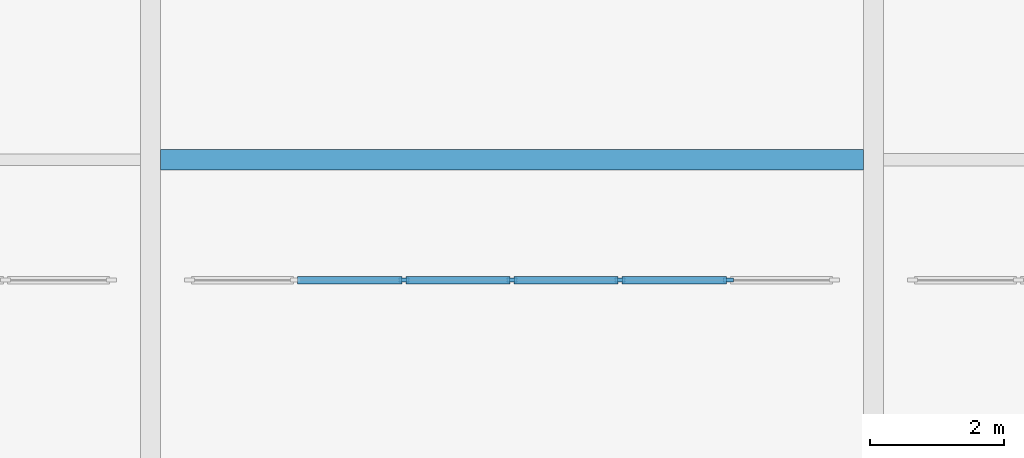
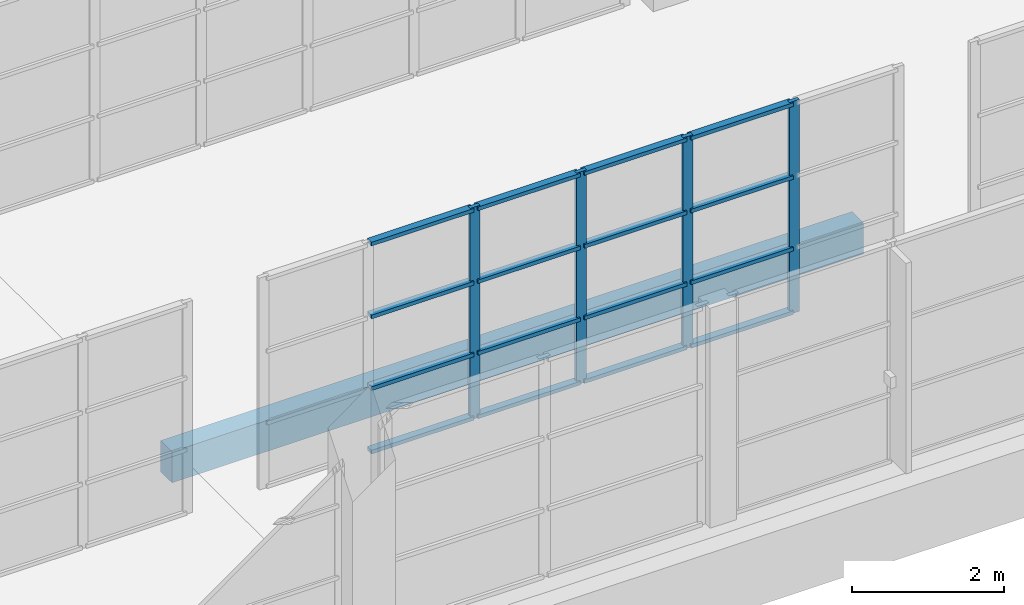
# One storey, part 45 of 142: 20 members, 1 beam, 1 element without a shape of its own.
"""IFC4 building model written with IfcOpenShell, lengths in metres."""

from ifc_helpers import new_model, si_unit, direction, frame, origin, origin_2d, place, context, subcontext, project, spatial, rectangle, extrude, material, material_profile, profile_set, type_object, element, aggregate, save


model = new_model("IFC4")

# Units and contexts
model_context = context("Model", 3, precision=1e-05, world=origin(), true_north=direction((0.0, 1.0)))
body_context = subcontext(model_context, "Body", "Model", "MODEL_VIEW")
ifc_project = project(units=[si_unit("LENGTHUNIT", "METRE"), si_unit("AREAUNIT", "SQUARE_METRE"), si_unit("VOLUMEUNIT", "CUBIC_METRE"), si_unit("PLANEANGLEUNIT", "RADIAN"), si_unit("MASSUNIT", "GRAM", prefix="KILO")], contexts=[model_context])

# Site, building, storey
site_placement = place(None, origin())
site = spatial("IfcSite", under=ifc_project, at=site_placement, CompositionType="ELEMENT")
building_placement = place(site_placement, origin())
building = spatial("IfcBuilding", under=site, at=building_placement, Name="Zwinboog Wholesale Market", CompositionType="ELEMENT")
storey_placement = place(building_placement, frame((0.0, 0.0, 5.39990234375)))
storey = spatial("IfcBuildingStorey", under=building, at=storey_placement, Name="L01", CompositionType="ELEMENT", Elevation=5.39990234375)

# Beam
ifc_material_1 = material(Name="Precast concrete C45/55", Category="concrete")
ifc_material_profile_1 = material_profile(ifc_material_1, rectangle(XDim=0.300048828125, YDim=0.5, at=origin_2d()), Name="PC 300x500")
ifc_profile_set_1 = profile_set([ifc_material_profile_1], Name="Precast concrete C45/55")
beam_type = type_object("IfcBeamType", Name="BT-10", PredefinedType="JOIST", material=ifc_profile_set_1)
beam_placement = place(storey_placement, frame((118.949951171875, 91.800048828125, -0.52978515625), z_axis=(1.0, 0.0, 0.0), x_axis=(0.0, 1.0, 0.0)))
element("IfcBeam", 1, at=beam_placement, inside=storey, type_object=beam_type, Name="BJ-01 (BMG-L01-1190-0918-0840)", PredefinedType="JOIST", context=body_context, shape_type="SweptSolid", body=[
    extrude(rectangle(XDim=0.300048828125, YDim=0.5, at=origin_2d()), origin(), (0.0, 0.0, 1.0), 10.5),
])

# Curtain wall, members
ifc_material_2 = material(Name="Aluminium thermally broken curtain wall", Category="aluminium")
curtain_wall_type = type_object("IfcCurtainWallType", Name="CWT-INT-STALL", PredefinedType="USERDEFINED", material=ifc_material_2)
curtain_wall_placement = place(storey_placement, origin())
curtain_wall = element("IfcCurtainWall", 2, at=curtain_wall_placement, inside=storey, type_object=curtain_wall_type, Name="CW-07 (CW-STL-240)", ObjectType="STOREFRONT_GLAZING", PredefinedType="USERDEFINED")
ifc_material_3 = material(Name="Aluminium EN AW-6060", Category="aluminium")
ifc_material_profile_2 = material_profile(ifc_material_3, rectangle(XDim=0.06005859375, YDim=0.14990234375, at=origin_2d()), Name="AL 60x150")
ifc_profile_set_2 = profile_set([ifc_material_profile_2], Name="Aluminium EN AW-6060")
member_type_1 = type_object("IfcMemberType", Name="CWM-INT-60x120", PredefinedType="MULLION", material=ifc_profile_set_2)
member_1_placement = place(storey_placement, frame((122.583251953125, 90.0, 0.0), z_axis=(0.0, 0.0, 1.0), x_axis=(0.0, 1.0, 0.0)))
member_1 = element("IfcMember", 3, at=member_1_placement, type_object=member_type_1, Name="CW-07 mullion 3", PredefinedType="MULLION", context=body_context, shape_type="SweptSolid", body=[
    extrude(rectangle(XDim=0.06005859375, YDim=0.14990234375, at=origin_2d()), origin(), (0.0, 0.0, 1.0), 3.400146484375),
])
member_2_placement = place(storey_placement, frame((124.199951171875, 90.0, 0.0), z_axis=(0.0, 0.0, 1.0), x_axis=(0.0, 1.0, 0.0)))
member_2 = element("IfcMember", 4, at=member_2_placement, type_object=member_type_1, Name="CW-07 mullion 4", PredefinedType="MULLION", context=body_context, shape_type="SweptSolid", body=[
    extrude(rectangle(XDim=0.06005859375, YDim=0.14990234375, at=origin_2d()), origin(), (0.0, 0.0, 1.0), 3.400146484375),
])
member_3_placement = place(storey_placement, frame((125.816650390625, 90.0, 0.0), z_axis=(0.0, 0.0, 1.0), x_axis=(0.0, 1.0, 0.0)))
member_3 = element("IfcMember", 5, at=member_3_placement, type_object=member_type_1, Name="CW-07 mullion 5", PredefinedType="MULLION", context=body_context, shape_type="SweptSolid", body=[
    extrude(rectangle(XDim=0.06005859375, YDim=0.14990234375, at=origin_2d()), origin(), (0.0, 0.0, 1.0), 3.400146484375),
])
member_4_placement = place(storey_placement, frame((127.433349609375, 90.0, 0.0), z_axis=(0.0, 0.0, 1.0), x_axis=(0.0, 1.0, 0.0)))
member_4 = element("IfcMember", 6, at=member_4_placement, type_object=member_type_1, Name="CW-07 mullion 6", PredefinedType="MULLION", context=body_context, shape_type="SweptSolid", body=[
    extrude(rectangle(XDim=0.06005859375, YDim=0.14990234375, at=origin_2d()), origin(), (0.0, 0.0, 1.0), 3.400146484375),
])
ifc_material_profile_3 = material_profile(ifc_material_3, rectangle(XDim=0.110107421875, YDim=0.06005859375, at=origin_2d()), Name="AL 60x110")
ifc_profile_set_3 = profile_set([ifc_material_profile_3], Name="Aluminium EN AW-6060")
member_type_2 = type_object("IfcMemberType", Name="CWT-INT-60x100", PredefinedType="USERDEFINED", material=ifc_profile_set_3)
member_5_placement = place(storey_placement, frame((120.99658203125, 90.0, 0.030029296875), z_axis=(1.0, 0.0, 0.0), x_axis=(0.0, 1.0, 0.0)))
member_5 = element("IfcMember", 7, at=member_5_placement, type_object=member_type_2, Name="CW-07 transom 2.1", ObjectType="TRANSOM", PredefinedType="USERDEFINED", context=body_context, shape_type="SweptSolid", body=[
    extrude(rectangle(XDim=0.110107421875, YDim=0.06005859375, at=origin_2d()), origin(), (0.0, 0.0, 1.0), 1.556640625),
])
member_6_placement = place(storey_placement, frame((120.99658203125, 90.0, 1.050048828125), z_axis=(1.0, 0.0, 0.0), x_axis=(0.0, 1.0, 0.0)))
member_6 = element("IfcMember", 8, at=member_6_placement, type_object=member_type_2, Name="CW-07 transom 2.2", ObjectType="TRANSOM", PredefinedType="USERDEFINED", context=body_context, shape_type="SweptSolid", body=[
    extrude(rectangle(XDim=0.110107421875, YDim=0.06005859375, at=origin_2d()), origin(), (0.0, 0.0, 1.0), 1.556640625),
])
member_7_placement = place(storey_placement, frame((120.99658203125, 90.0, 2.2001953125), z_axis=(1.0, 0.0, 0.0), x_axis=(0.0, 1.0, 0.0)))
member_7 = element("IfcMember", 9, at=member_7_placement, type_object=member_type_2, Name="CW-07 transom 2.3", ObjectType="TRANSOM", PredefinedType="USERDEFINED", context=body_context, shape_type="SweptSolid", body=[
    extrude(rectangle(XDim=0.110107421875, YDim=0.06005859375, at=origin_2d()), origin(), (0.0, 0.0, 1.0), 1.556640625),
])
member_8_placement = place(storey_placement, frame((120.99658203125, 90.0, 3.3701171875), z_axis=(1.0, 0.0, 0.0), x_axis=(0.0, 1.0, 0.0)))
member_8 = element("IfcMember", 10, at=member_8_placement, type_object=member_type_2, Name="CW-07 transom 2.4", ObjectType="TRANSOM", PredefinedType="USERDEFINED", context=body_context, shape_type="SweptSolid", body=[
    extrude(rectangle(XDim=0.110107421875, YDim=0.06005859375, at=origin_2d()), origin(), (0.0, 0.0, 1.0), 1.556640625),
])
member_9_placement = place(storey_placement, frame((122.61328125, 90.0, 0.030029296875), z_axis=(1.0, 0.0, 0.0), x_axis=(0.0, 1.0, 0.0)))
member_9 = element("IfcMember", 11, at=member_9_placement, type_object=member_type_2, Name="CW-07 transom 3.1", ObjectType="TRANSOM", PredefinedType="USERDEFINED", context=body_context, shape_type="SweptSolid", body=[
    extrude(rectangle(XDim=0.110107421875, YDim=0.06005859375, at=origin_2d()), origin(), (0.0, 0.0, 1.0), 1.556640625),
])
member_10_placement = place(storey_placement, frame((122.61328125, 90.0, 1.050048828125), z_axis=(1.0, 0.0, 0.0), x_axis=(0.0, 1.0, 0.0)))
member_10 = element("IfcMember", 12, at=member_10_placement, type_object=member_type_2, Name="CW-07 transom 3.2", ObjectType="TRANSOM", PredefinedType="USERDEFINED", context=body_context, shape_type="SweptSolid", body=[
    extrude(rectangle(XDim=0.110107421875, YDim=0.06005859375, at=origin_2d()), origin(), (0.0, 0.0, 1.0), 1.556640625),
])
member_11_placement = place(storey_placement, frame((122.61328125, 90.0, 2.2001953125), z_axis=(1.0, 0.0, 0.0), x_axis=(0.0, 1.0, 0.0)))
member_11 = element("IfcMember", 13, at=member_11_placement, type_object=member_type_2, Name="CW-07 transom 3.3", ObjectType="TRANSOM", PredefinedType="USERDEFINED", context=body_context, shape_type="SweptSolid", body=[
    extrude(rectangle(XDim=0.110107421875, YDim=0.06005859375, at=origin_2d()), origin(), (0.0, 0.0, 1.0), 1.556640625),
])
member_12_placement = place(storey_placement, frame((122.61328125, 90.0, 3.3701171875), z_axis=(1.0, 0.0, 0.0), x_axis=(0.0, 1.0, 0.0)))
member_12 = element("IfcMember", 14, at=member_12_placement, type_object=member_type_2, Name="CW-07 transom 3.4", ObjectType="TRANSOM", PredefinedType="USERDEFINED", context=body_context, shape_type="SweptSolid", body=[
    extrude(rectangle(XDim=0.110107421875, YDim=0.06005859375, at=origin_2d()), origin(), (0.0, 0.0, 1.0), 1.556640625),
])
member_13_placement = place(storey_placement, frame((124.22998046875, 90.0, 0.030029296875), z_axis=(1.0, 0.0, 0.0), x_axis=(0.0, 1.0, 0.0)))
member_13 = element("IfcMember", 15, at=member_13_placement, type_object=member_type_2, Name="CW-07 transom 4.1", ObjectType="TRANSOM", PredefinedType="USERDEFINED", context=body_context, shape_type="SweptSolid", body=[
    extrude(rectangle(XDim=0.110107421875, YDim=0.06005859375, at=origin_2d()), origin(), (0.0, 0.0, 1.0), 1.556640625),
])
member_14_placement = place(storey_placement, frame((124.22998046875, 90.0, 1.050048828125), z_axis=(1.0, 0.0, 0.0), x_axis=(0.0, 1.0, 0.0)))
member_14 = element("IfcMember", 16, at=member_14_placement, type_object=member_type_2, Name="CW-07 transom 4.2", ObjectType="TRANSOM", PredefinedType="USERDEFINED", context=body_context, shape_type="SweptSolid", body=[
    extrude(rectangle(XDim=0.110107421875, YDim=0.06005859375, at=origin_2d()), origin(), (0.0, 0.0, 1.0), 1.556640625),
])
member_15_placement = place(storey_placement, frame((124.22998046875, 90.0, 2.2001953125), z_axis=(1.0, 0.0, 0.0), x_axis=(0.0, 1.0, 0.0)))
member_15 = element("IfcMember", 17, at=member_15_placement, type_object=member_type_2, Name="CW-07 transom 4.3", ObjectType="TRANSOM", PredefinedType="USERDEFINED", context=body_context, shape_type="SweptSolid", body=[
    extrude(rectangle(XDim=0.110107421875, YDim=0.06005859375, at=origin_2d()), origin(), (0.0, 0.0, 1.0), 1.556640625),
])
member_16_placement = place(storey_placement, frame((124.22998046875, 90.0, 3.3701171875), z_axis=(1.0, 0.0, 0.0), x_axis=(0.0, 1.0, 0.0)))
member_16 = element("IfcMember", 18, at=member_16_placement, type_object=member_type_2, Name="CW-07 transom 4.4", ObjectType="TRANSOM", PredefinedType="USERDEFINED", context=body_context, shape_type="SweptSolid", body=[
    extrude(rectangle(XDim=0.110107421875, YDim=0.06005859375, at=origin_2d()), origin(), (0.0, 0.0, 1.0), 1.556640625),
])
member_17_placement = place(storey_placement, frame((125.8466796875, 90.0, 0.030029296875), z_axis=(1.0, 0.0, 0.0), x_axis=(0.0, 1.0, 0.0)))
member_17 = element("IfcMember", 19, at=member_17_placement, type_object=member_type_2, Name="CW-07 transom 5.1", ObjectType="TRANSOM", PredefinedType="USERDEFINED", context=body_context, shape_type="SweptSolid", body=[
    extrude(rectangle(XDim=0.110107421875, YDim=0.06005859375, at=origin_2d()), origin(), (0.0, 0.0, 1.0), 1.556640625),
])
member_18_placement = place(storey_placement, frame((125.8466796875, 90.0, 1.050048828125), z_axis=(1.0, 0.0, 0.0), x_axis=(0.0, 1.0, 0.0)))
member_18 = element("IfcMember", 20, at=member_18_placement, type_object=member_type_2, Name="CW-07 transom 5.2", ObjectType="TRANSOM", PredefinedType="USERDEFINED", context=body_context, shape_type="SweptSolid", body=[
    extrude(rectangle(XDim=0.110107421875, YDim=0.06005859375, at=origin_2d()), origin(), (0.0, 0.0, 1.0), 1.556640625),
])
member_19_placement = place(storey_placement, frame((125.8466796875, 90.0, 2.2001953125), z_axis=(1.0, 0.0, 0.0), x_axis=(0.0, 1.0, 0.0)))
member_19 = element("IfcMember", 21, at=member_19_placement, type_object=member_type_2, Name="CW-07 transom 5.3", ObjectType="TRANSOM", PredefinedType="USERDEFINED", context=body_context, shape_type="SweptSolid", body=[
    extrude(rectangle(XDim=0.110107421875, YDim=0.06005859375, at=origin_2d()), origin(), (0.0, 0.0, 1.0), 1.556640625),
])
member_20_placement = place(storey_placement, frame((125.8466796875, 90.0, 3.3701171875), z_axis=(1.0, 0.0, 0.0), x_axis=(0.0, 1.0, 0.0)))
member_20 = element("IfcMember", 22, at=member_20_placement, type_object=member_type_2, Name="CW-07 transom 5.4", ObjectType="TRANSOM", PredefinedType="USERDEFINED", context=body_context, shape_type="SweptSolid", body=[
    extrude(rectangle(XDim=0.110107421875, YDim=0.06005859375, at=origin_2d()), origin(), (0.0, 0.0, 1.0), 1.556640625),
])
aggregate(curtain_wall, [member_1, member_2, member_3, member_4, member_5, member_6, member_7, member_8, member_9, member_10, member_11, member_12, member_13, member_14, member_15, member_16, member_17, member_18, member_19, member_20])

save(model, "model.ifc")
